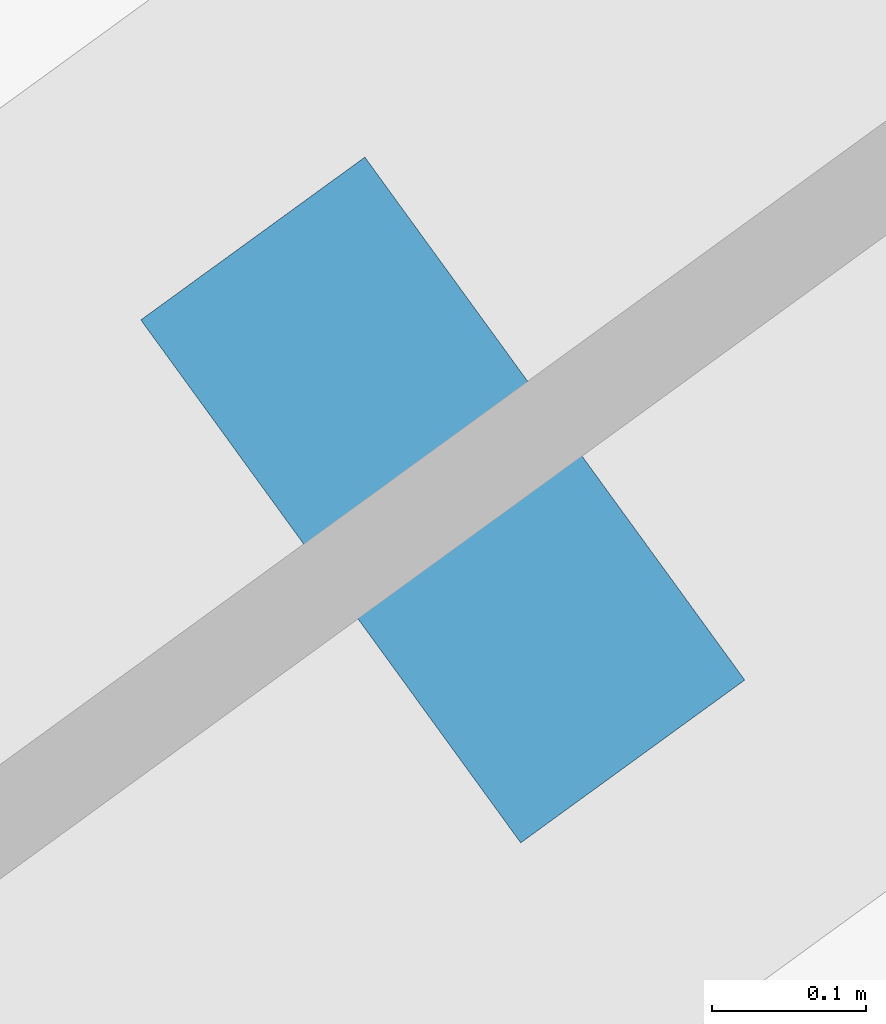
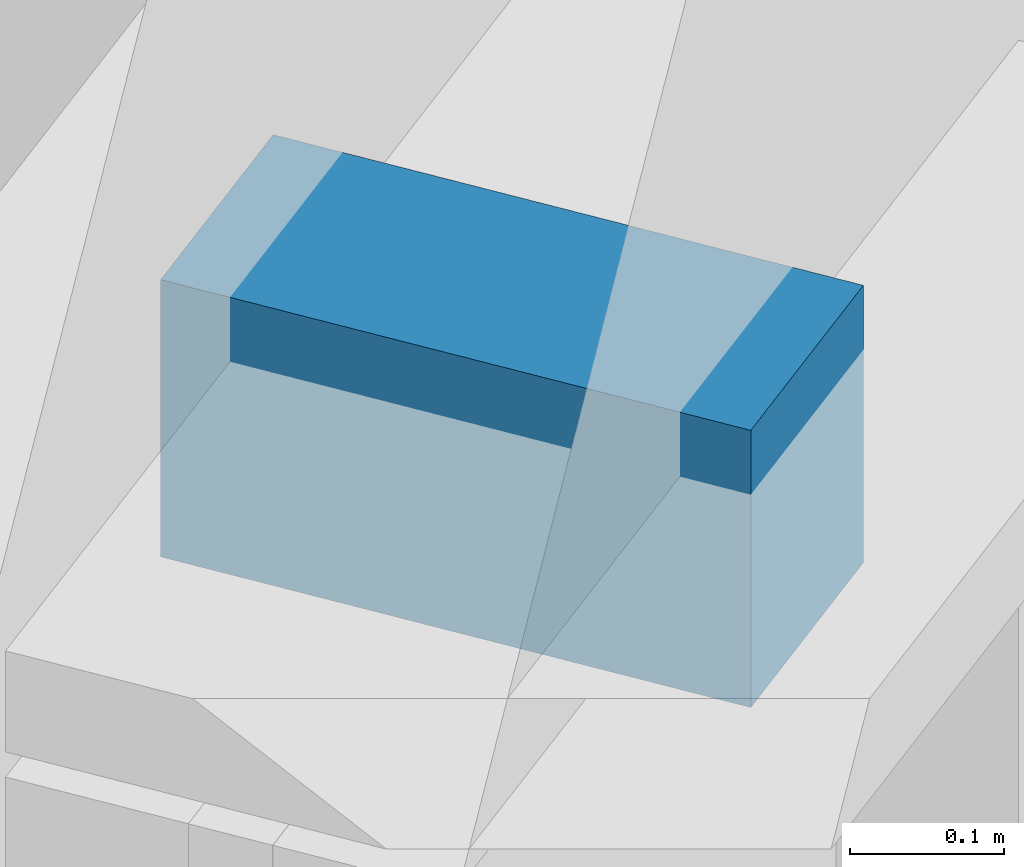
# One storey, part 21 of 25: 1 discrete accessory.
"""IFC4 building model written with IfcOpenShell, lengths in metres."""

from ifc_helpers import new_model, si_unit, direction, frame, origin, origin_2d, place, context, subcontext, project, spatial, rectangle, extrude, source, transform, mapped, material, type_object, element, save


model = new_model("IFC4")

# Units and contexts
model_context = context("Model", 3, precision=1e-05, world=origin(), true_north=direction((0.0, 1.0)))
body_context = subcontext(model_context, "Body", "Model", "MODEL_VIEW")
ifc_project = project(units=[si_unit("LENGTHUNIT", "METRE"), si_unit("AREAUNIT", "SQUARE_METRE"), si_unit("VOLUMEUNIT", "CUBIC_METRE"), si_unit("PLANEANGLEUNIT", "RADIAN"), si_unit("MASSUNIT", "GRAM", prefix="KILO")], contexts=[model_context])

# Site, building, storey
site_placement = place(None, origin())
site = spatial("IfcSite", under=ifc_project, at=site_placement, CompositionType="ELEMENT")
building_placement = place(site_placement, origin())
building = spatial("IfcBuilding", under=site, at=building_placement, Name="Tlacorven Tower", CompositionType="ELEMENT")
storey_placement = place(building_placement, frame((0.0, 0.0, 52.800048828125)))
storey = spatial("IfcBuildingStorey", under=building, at=storey_placement, Name="L13", CompositionType="ELEMENT", Elevation=52.800048828125)

# Discrete accessory
ifc_material = material(Name="Steel S355J2", Category="steel")
discrete_accessory_type = type_object("IfcDiscreteAccessoryType", Name="ACC-BRK-01", PredefinedType="BRACKET", material=ifc_material)
shared_shape = source(origin(), body_context, "Body", "SweptSolid", [
    extrude(rectangle(XDim=0.179931640625, YDim=0.419921875, at=origin_2d()), origin(), (0.0, 0.0, 1.0), 0.219970703125),
])
discrete_accessory_placement = place(storey_placement, frame((67.413818359375, 15.054443359375, 2.18017578125), z_axis=(0.0, 0.0, 1.0), x_axis=(-0.809017097486, -0.587785110372, 0.0)))
element("IfcDiscreteAccessory", 1, at=discrete_accessory_placement, inside=storey, type_object=discrete_accessory_type, Name="L13 Sunshade Bracket L13-06.1", PredefinedType="BRACKET", context=body_context, shape_type="MappedRepresentation", body=[
    mapped(shared_shape, transform((0.0, 0.0, 0.0), scale=1.0)),
])

save(model, "model.ifc")
